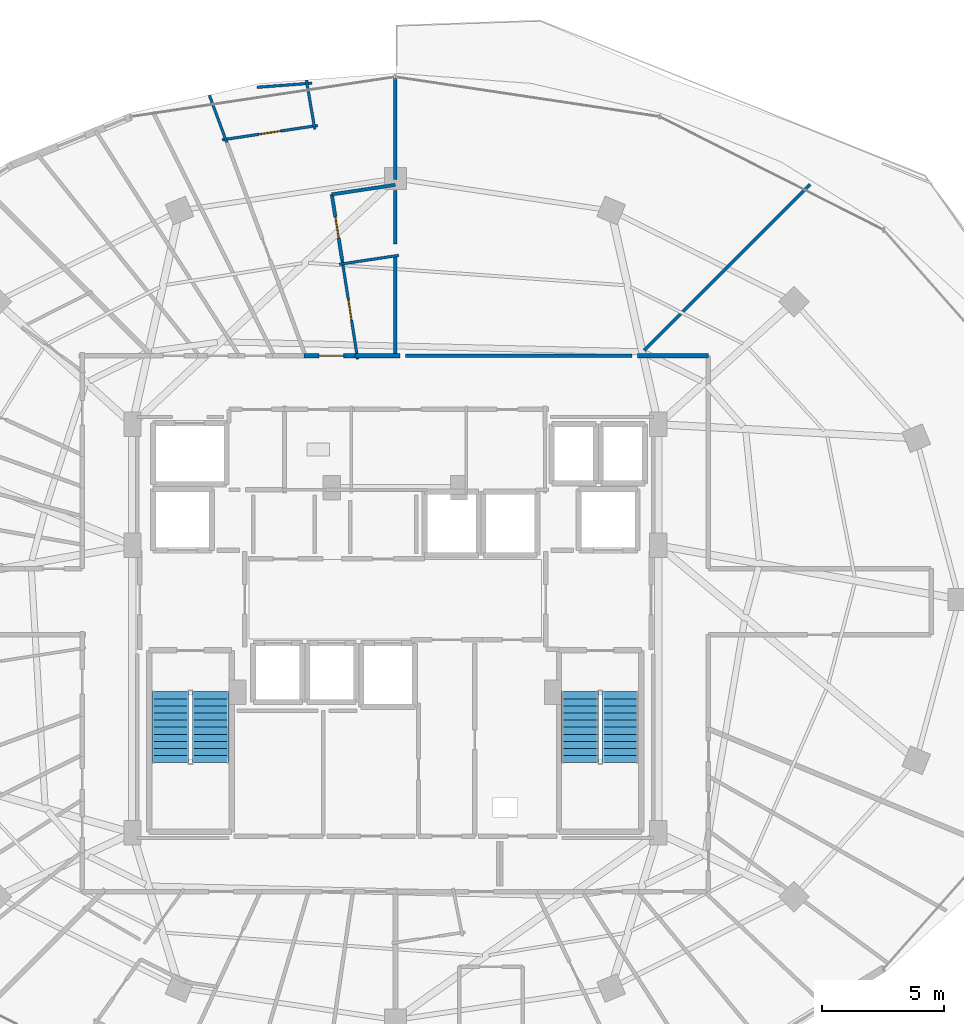
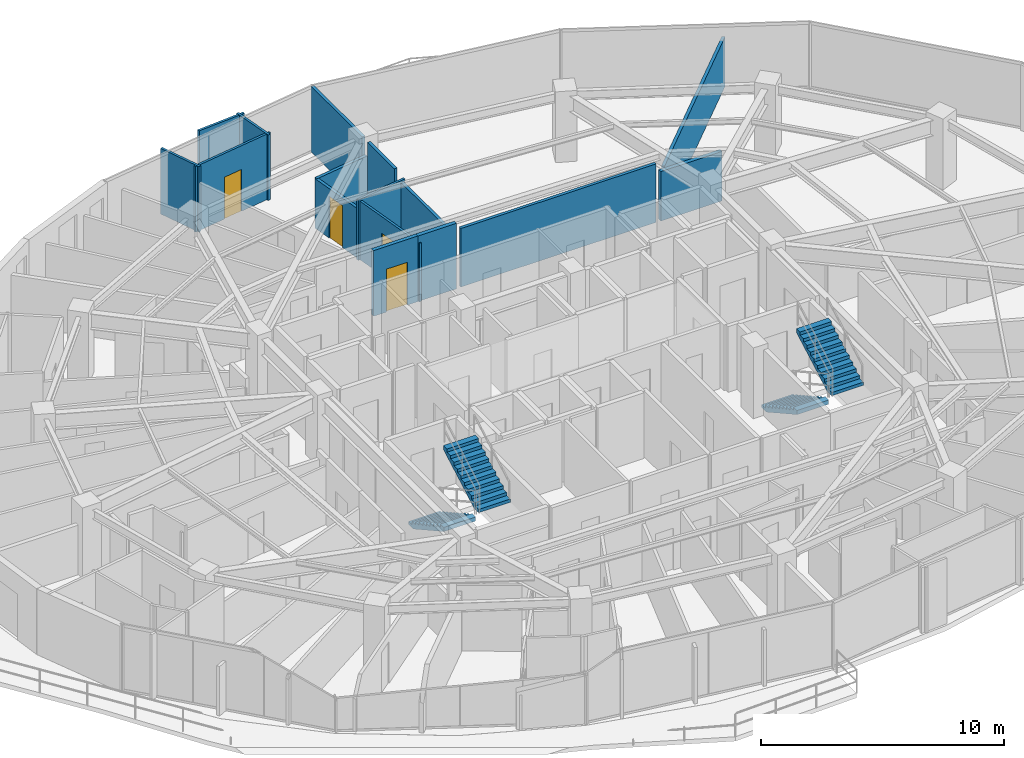
# One storey, part 30 of 33: 16 walls, 4 doors, 4 stair flights, 4 openings, 2 elements without a shape of their own.
"""IFC4 building model written with IfcOpenShell, lengths in metres."""

from ifc_helpers import new_model, si_unit, direction, frame, frame_2d, origin, place, context, subcontext, project, spatial, polyline, rectangle, outline, extrude, material, layer, layer_set, type_object, element, fill, aggregate, save


model = new_model("IFC4")

# Units and contexts
model_context = context("Model", 3, precision=1e-05, world=origin(), true_north=direction((0.0, 1.0)))
body_context = subcontext(model_context, "Body", "Model", "MODEL_VIEW")
ifc_project = project(units=[si_unit("LENGTHUNIT", "METRE"), si_unit("AREAUNIT", "SQUARE_METRE"), si_unit("VOLUMEUNIT", "CUBIC_METRE"), si_unit("PLANEANGLEUNIT", "RADIAN"), si_unit("MASSUNIT", "GRAM", prefix="KILO")], contexts=[model_context])

# Site, building, storey
site_placement = place(None, origin())
site = spatial("IfcSite", under=ifc_project, at=site_placement, CompositionType="ELEMENT")
building_placement = place(site_placement, origin())
building = spatial("IfcBuilding", under=site, at=building_placement, Name="Vorneva Point Tower", CompositionType="ELEMENT")
storey_placement = place(building_placement, frame((0.0, 0.0, 200.10009765625)))
storey = spatial("IfcBuildingStorey", under=building, at=storey_placement, Name="L54", CompositionType="ELEMENT", Elevation=200.10009765625)

# Wall, opening, door
ifc_material_1 = material(Name="Fire-rated acoustic gypsum stud partition", Category="gypsum")
ifc_layer_1 = layer(ifc_material_1, 0.110107421875)
ifc_layer_set_1 = layer_set([ifc_layer_1], Name="Fire-rated acoustic gypsum stud partition")
wall_type_1 = type_object("IfcWallType", Name="WL-PART-110", PredefinedType="PARTITIONING", material=ifc_layer_set_1)
wall_1_placement = place(storey_placement, frame((36.461669921875, 35.811767578125, 0.0), z_axis=(0.0, 0.0, 1.0), x_axis=(-0.154883213323, 0.987932786292, 0.0)))
wall_1 = element("IfcWall", 1, at=wall_1_placement, inside=storey, type_object=wall_type_1, Name="L54 Interior Partition 074", PredefinedType="PARTITIONING", context=body_context, shape_type="SweptSolid", body=[
    extrude(rectangle(XDim=4.0888671875, YDim=0.110107421875, at=frame_2d((2.04443359375, 0.0))), origin(), (0.0, 0.0, 1.0), 2.935791015625),
])
opening_1_placement = place(wall_1_placement, frame((1.619384765625, 0.0, 0.0)))
opening_1 = element("IfcOpeningElement", 2, at=opening_1_placement, cuts=wall_1, Name="Opening ID-02", PredefinedType="OPENING", context=body_context, shape_type="SweptSolid", body=[
    extrude(rectangle(XDim=0.85009765625, YDim=2.10009765625, at=frame_2d((0.425048828125, 1.050048828125))), frame((0.0, 0.06982421875, 0.0), z_axis=(0.0, -1.0, 0.0), x_axis=(1.0, 0.0, 0.0)), (0.0, 0.0, 1.0), 0.139892578125),
])
ifc_material_2 = material(Name="Engineered oak fire-rated door leaf", Category="wood")
door_type_1 = type_object("IfcDoorType", Name="DR-BATH-850", OperationType="NOTDEFINED", PredefinedType="DOOR", material=ifc_material_2)
door_1_placement = place(opening_1_placement, origin())
door_1 = element("IfcDoor", 3, at=door_1_placement, inside=storey, type_object=door_type_1, Name="L54 Door Living and Dining Room L54-01 / Bathroom L54-01", OperationType="SINGLE_SWING_RIGHT", OverallHeight=2.10009765625, OverallWidth=0.85009765625, PredefinedType="DOOR", context=body_context, shape_type="SweptSolid", body=[
    extrude(rectangle(XDim=0.85009765625, YDim=2.10009765625, at=frame_2d((0.425048828125, 1.050048828125))), frame((0.0, 0.02490234375, 0.0), z_axis=(0.0, -1.0, 0.0), x_axis=(1.0, 0.0, 0.0)), (0.0, 0.0, 1.0), 0.050048828125),
])
fill(opening_1, door_1)

# Walls
wall_2_placement = place(storey_placement, frame((34.588623046875, 47.095458984375, 0.0), z_axis=(0.0, 0.0, 1.0), x_axis=(-0.997205784552, -0.074703569226, 0.0)))
element("IfcWall", 4, at=wall_2_placement, inside=storey, type_object=wall_type_1, Name="L54 Interior Partition 075", PredefinedType="PARTITIONING", context=body_context, shape_type="SweptSolid", body=[
    extrude(rectangle(XDim=2.24853515625, YDim=0.110107421875, at=frame_2d((1.124267578125, 0.0))), origin(), (0.0, 0.0, 1.0), 3.289794921875),
])
wall_3_placement = place(storey_placement, frame((34.365478515625, 47.218017578125, 0.0), z_axis=(0.0, 0.0, 1.0), x_axis=(0.168804313657, -0.985649584635, 0.0)))
element("IfcWall", 5, at=wall_3_placement, inside=storey, type_object=wall_type_1, Name="L54 Interior Partition 076", PredefinedType="PARTITIONING", context=body_context, shape_type="SweptSolid", body=[
    extrude(rectangle(XDim=2.039306640625, YDim=0.110107421875, at=frame_2d((1.01953125, 0.0))), origin(), (0.0, 0.0, 1.0), 3.289794921875),
])

# Wall, opening, door
wall_4_placement = place(storey_placement, frame((34.824462890625, 45.36669921875, 0.0), z_axis=(0.0, 0.0, 1.0), x_axis=(-0.988877230123, -0.148734070555, 0.0)))
wall_4 = element("IfcWall", 6, at=wall_4_placement, inside=storey, type_object=wall_type_1, Name="L54 Interior Partition 077", PredefinedType="PARTITIONING", context=body_context, shape_type="SweptSolid", body=[
    extrude(rectangle(XDim=3.94287109375, YDim=0.110107421875, at=frame_2d((1.971435546875, 0.0))), origin(), (0.0, 0.0, 1.0), 3.289794921875),
])
opening_2_placement = place(wall_4_placement, frame((1.521240234375, 0.0, 0.0)))
opening_2 = element("IfcOpeningElement", 7, at=opening_2_placement, cuts=wall_4, Name="Opening ID-01", PredefinedType="OPENING", context=body_context, shape_type="SweptSolid", body=[
    extrude(rectangle(XDim=0.89990234375, YDim=2.10009765625, at=frame_2d((0.449951171875, 1.050048828125))), frame((0.0, 0.06982421875, 0.0), z_axis=(0.0, -1.0, 0.0), x_axis=(1.0, 0.0, 0.0)), (0.0, 0.0, 1.0), 0.139892578125),
])
door_type_2 = type_object("IfcDoorType", Name="DR-ROOM-900", OperationType="NOTDEFINED", PredefinedType="DOOR", material=ifc_material_2)
door_2_placement = place(opening_2_placement, origin())
door_2 = element("IfcDoor", 8, at=door_2_placement, inside=storey, type_object=door_type_2, Name="L54 Door Living and Dining Room L54-01 / Kitchen L54-01", OperationType="SINGLE_SWING_LEFT", OverallHeight=2.10009765625, OverallWidth=0.89990234375, PredefinedType="DOOR", context=body_context, shape_type="SweptSolid", body=[
    extrude(rectangle(XDim=0.89990234375, YDim=2.10009765625, at=frame_2d((0.449951171875, 1.050048828125))), frame((0.0, 0.02490234375, 0.0), z_axis=(0.0, -1.0, 0.0), x_axis=(1.0, 0.0, 0.0)), (0.0, 0.0, 1.0), 0.050048828125),
])
fill(opening_2, door_2)

# Walls
wall_5_placement = place(storey_placement, frame((31.112548828125, 44.669677734375, 0.0), z_axis=(0.0, 0.0, 1.0), x_axis=(-0.346337161188, 0.938110105894, 0.0)))
element("IfcWall", 9, at=wall_5_placement, inside=storey, type_object=wall_type_1, Name="L54 Interior Partition 078", PredefinedType="PARTITIONING", context=body_context, shape_type="SweptSolid", body=[
    extrude(rectangle(XDim=2.05908203125, YDim=0.110107421875, at=frame_2d((1.029541015625, 0.0))), origin(), (0.0, 0.0, 1.0), 3.289794921875),
])
wall_6_placement = place(storey_placement, frame((38.138427734375, 40.056884765625, 0.0), z_axis=(0.0, 0.0, 1.0), x_axis=(-0.988892526147, -0.148632337431, 0.0)))
element("IfcWall", 10, at=wall_6_placement, inside=storey, type_object=wall_type_1, Name="L54 Interior Partition 082", PredefinedType="PARTITIONING", context=body_context, shape_type="SweptSolid", body=[
    extrude(rectangle(XDim=2.4541015625, YDim=0.110107421875, at=frame_2d((1.22705078125, 0.0))), origin(), (0.0, 0.0, 1.0), 3.02197265625),
])
ifc_layer_2 = layer(ifc_material_1, 0.139892578125)
ifc_layer_set_2 = layer_set([ifc_layer_2], Name="Fire-rated acoustic gypsum stud partition")
wall_type_2 = type_object("IfcWallType", Name="WL-PART-140", PredefinedType="PARTITIONING", material=ifc_layer_set_2)
wall_7_placement = place(storey_placement, frame((35.405029296875, 42.550048828125, 0.0), z_axis=(0.0, 0.0, 1.0), x_axis=(0.988900154693, 0.148581573718, 0.0)))
element("IfcWall", 11, at=wall_7_placement, inside=storey, type_object=wall_type_2, Name="L54 Interior Partition 079", PredefinedType="PARTITIONING", context=body_context, shape_type="SweptSolid", body=[
    extrude(rectangle(XDim=2.6240234375, YDim=0.139892578125, at=frame_2d((1.31201171875, 0.0))), origin(), (0.0, 0.0, 1.0), 2.48193359375),
])

# Wall, opening, door
wall_8_placement = place(storey_placement, frame((35.828369140625, 39.851318359375, 0.0), z_axis=(0.0, 0.0, 1.0), x_axis=(-0.154971189464, 0.987918989814, 0.0)))
wall_8 = element("IfcWall", 12, at=wall_8_placement, inside=storey, type_object=wall_type_2, Name="L54 Interior Partition 080", PredefinedType="PARTITIONING", context=body_context, shape_type="SweptSolid", body=[
    extrude(rectangle(XDim=2.731689453125, YDim=0.139892578125, at=frame_2d((1.36572265625, 0.0))), origin(), (0.0, 0.0, 1.0), 2.48193359375),
])
opening_3_placement = place(wall_8_placement, frame((0.915771484375, 0.0, 0.0)))
opening_3 = element("IfcOpeningElement", 13, at=opening_3_placement, cuts=wall_8, Name="Opening ID-01", PredefinedType="OPENING", context=body_context, shape_type="SweptSolid", body=[
    extrude(rectangle(XDim=0.89990234375, YDim=2.10009765625, at=frame_2d((0.449951171875, 1.050048828125))), frame((0.0, 0.0849609375, 0.0), z_axis=(0.0, -1.0, 0.0), x_axis=(1.0, 0.0, 0.0)), (0.0, 0.0, 1.0), 0.169677734375),
])
door_3_placement = place(opening_3_placement, origin())
door_3 = element("IfcDoor", 14, at=door_3_placement, inside=storey, type_object=door_type_2, Name="L54 Door Living and Dining Room L54-01 / Study Room L54-01", OperationType="SINGLE_SWING_RIGHT", OverallHeight=2.10009765625, OverallWidth=0.89990234375, PredefinedType="DOOR", context=body_context, shape_type="SweptSolid", body=[
    extrude(rectangle(XDim=0.89990234375, YDim=2.10009765625, at=frame_2d((0.449951171875, 1.050048828125))), frame((0.0, 0.02490234375, 0.0), z_axis=(0.0, -1.0, 0.0), x_axis=(1.0, 0.0, 0.0)), (0.0, 0.0, 1.0), 0.050048828125),
])
fill(opening_3, door_3)

# Walls
wall_9_placement = place(storey_placement, frame((47.669921875, 35.949951171875, 0.0), z_axis=(0.0, 0.0, 1.0), x_axis=(-1.0, 0.0, 0.0)))
element("IfcWall", 15, at=wall_9_placement, inside=storey, type_object=wall_type_2, Name="L54 Interior Closure Partition 164", PredefinedType="PARTITIONING", context=body_context, shape_type="SweptSolid", body=[
    extrude(rectangle(XDim=9.25, YDim=0.139892578125, at=frame_2d((4.625, 0.0))), origin(), (0.0, 0.0, 1.0), 2.935791015625),
])
wall_10_placement = place(storey_placement, frame((38.0, 43.159912109375, 0.0), z_axis=(0.0, 0.0, 1.0), x_axis=(0.0, 1.0, 0.0)))
element("IfcWall", 16, at=wall_10_placement, inside=storey, type_object=wall_type_2, Name="L54 Interior Closure Partition 176", PredefinedType="PARTITIONING", context=body_context, shape_type="SweptSolid", body=[
    extrude(rectangle(XDim=4.190185546875, YDim=0.139892578125, at=frame_2d((2.09521484375, 0.0))), origin(), (0.0, 0.0, 1.0), 3.289794921875),
])
wall_11_placement = place(storey_placement, frame((38.0, 35.919921875, 0.0), z_axis=(0.0, 0.0, 1.0), x_axis=(0.0, 1.0, 0.0)))
element("IfcWall", 17, at=wall_11_placement, inside=storey, type_object=wall_type_2, Name="L54 Interior Closure Partition 177", PredefinedType="PARTITIONING", context=body_context, shape_type="SweptSolid", body=[
    extrude(rectangle(XDim=4.14501953125, YDim=0.139892578125, at=frame_2d((2.072509765625, 0.0))), origin(), (0.0, 0.0, 1.0), 2.935791015625),
])
wall_12_placement = place(storey_placement, frame((38.0, 40.514892578125, 0.0), z_axis=(0.0, 0.0, 1.0), x_axis=(0.0, 1.0, 0.0)))
element("IfcWall", 18, at=wall_12_placement, inside=storey, type_object=wall_type_2, Name="L54 Interior Closure Partition 178", PredefinedType="PARTITIONING", context=body_context, shape_type="SweptSolid", body=[
    extrude(rectangle(XDim=2.195068359375, YDim=0.139892578125, at=frame_2d((1.09765625, 0.0))), origin(), (0.0, 0.0, 1.0), 3.289794921875),
])
wall_13_placement = place(storey_placement, frame((54.958984375, 42.958984375, 0.0), z_axis=(0.0, 0.0, 1.0), x_axis=(-0.707106781187, -0.707106781187, 0.0)))
element("IfcWall", 19, at=wall_13_placement, inside=storey, type_object=wall_type_2, Name="L54 Interior Closure Partition 179", PredefinedType="PARTITIONING", context=body_context, shape_type="SweptSolid", body=[
    extrude(rectangle(XDim=9.60107421875, YDim=0.139892578125, at=frame_2d((4.800537109375, 0.0))), origin(), (0.0, 0.0, 1.0), 2.48193359375),
])

# Wall, opening, door
ifc_material_3 = material(Name="Autoclaved aerated concrete blockwork", Category="masonry")
ifc_layer_3 = layer(ifc_material_3, 0.179931640625)
ifc_layer_set_3 = layer_set([ifc_layer_3], Name="Autoclaved aerated concrete blockwork")
wall_type_3 = type_object("IfcWallType", Name="WL-PART-180", PredefinedType="PARTITIONING", material=ifc_layer_set_3)
wall_14_placement = place(storey_placement, frame((36.5, 35.949951171875, 0.0), z_axis=(0.0, 0.0, 1.0), x_axis=(-1.0, 0.0, 0.0)))
wall_14 = element("IfcWall", 20, at=wall_14_placement, inside=storey, type_object=wall_type_3, Name="L54 Interior Partition 029", PredefinedType="PARTITIONING", context=body_context, shape_type="SweptSolid", body=[
    extrude(rectangle(XDim=2.235107421875, YDim=0.179931640625, at=frame_2d((1.11767578125, 0.0))), origin(), (0.0, 0.0, 1.0), 3.289794921875),
])
opening_4_placement = place(wall_14_placement, frame((0.617431640625, 0.0, 0.0)))
opening_4 = element("IfcOpeningElement", 21, at=opening_4_placement, cuts=wall_14, Name="Opening UD-01", PredefinedType="OPENING", context=body_context, shape_type="SweptSolid", body=[
    extrude(rectangle(XDim=1.0, YDim=2.14990234375, at=frame_2d((0.5, 1.074951171875))), frame((0.0, 0.10498046875, 0.0), z_axis=(0.0, -1.0, 0.0), x_axis=(1.0, 0.0, 0.0)), (0.0, 0.0, 1.0), 0.209716796875),
])
door_type_3 = type_object("IfcDoorType", Name="DR-UNIT-1000", OperationType="NOTDEFINED", PredefinedType="DOOR", material=ifc_material_2)
door_4_placement = place(opening_4_placement, origin())
door_4 = element("IfcDoor", 22, at=door_4_placement, inside=storey, type_object=door_type_3, Name="L54 Door L54 Circulation Corridor / Living and Dining Room L54-01", OperationType="SINGLE_SWING_RIGHT", OverallHeight=2.14990234375, OverallWidth=1.0, PredefinedType="DOOR", context=body_context, shape_type="SweptSolid", body=[
    extrude(rectangle(XDim=1.0, YDim=2.14990234375, at=frame_2d((0.5, 1.074951171875))), frame((0.0, 0.02490234375, 0.0), z_axis=(0.0, -1.0, 0.0), x_axis=(1.0, 0.0, 0.0)), (0.0, 0.0, 1.0), 0.050048828125),
])
fill(opening_4, door_4)

# Walls
wall_15_placement = place(storey_placement, frame((38.199951171875, 35.949951171875, 0.0), z_axis=(0.0, 0.0, 1.0), x_axis=(-1.0, 0.0, 0.0)))
element("IfcWall", 23, at=wall_15_placement, inside=storey, type_object=wall_type_3, Name="L54 Interior Partition 030", PredefinedType="PARTITIONING", context=body_context, shape_type="SweptSolid", body=[
    extrude(rectangle(XDim=1.83984375, YDim=0.179931640625, at=frame_2d((0.919921875, 0.0))), origin(), (0.0, 0.0, 1.0), 3.289794921875),
])
wall_16_placement = place(storey_placement, frame((50.800048828125, 35.949951171875, 0.0), z_axis=(0.0, 0.0, 1.0), x_axis=(-1.0, 0.0, 0.0)))
element("IfcWall", 24, at=wall_16_placement, inside=storey, type_object=wall_type_3, Name="L54 Interior Partition 073", PredefinedType="PARTITIONING", context=body_context, shape_type="SweptSolid", body=[
    extrude(rectangle(XDim=2.91015625, YDim=0.179931640625, at=frame_2d((1.455078125, 0.0))), origin(), (0.0, 0.0, 1.0), 2.48193359375),
])

# Stair, stair flights
ifc_material_4 = material(Name="Concrete B50 (C40/50)", Category="concrete")
stair_type = type_object("IfcStairType", Name="ST-DOG-1500", PredefinedType="HALF_TURN_STAIR", material=ifc_material_4)
stair_1_placement = place(storey_placement, origin())
stair_1 = element("IfcStair", 25, at=stair_1_placement, inside=storey, type_object=stair_type, Name="L54 ST1", PredefinedType="HALF_TURN_STAIR")
stair_flight_type = type_object("IfcStairFlightType", Name="STF-1500", PredefinedType="STRAIGHT", material=ifc_material_4)
stair_flight_1_placement = place(storey_placement, frame((28.800048828125, 22.219970703125, 0.0), z_axis=(0.0, 0.0, 1.0), x_axis=(0.0, -1.0, 0.0)))
stair_flight_1 = element("IfcStairFlight", 26, at=stair_flight_1_placement, type_object=stair_flight_type, Name="ST1 flight 1", NumberOfRisers=11, NumberOfTreads=10, PredefinedType="STRAIGHT", RiserHeight=0.161363636, TreadLength=0.29, context=body_context, shape_type="SweptSolid", body=[
    extrude(outline(polyline([(0.0, 0.0), (0.0, 0.161376953125), (0.2900390625, 0.161376953125), (0.2900390625, 0.32275390625), (0.580078125, 0.32275390625), (0.580078125, 0.484130859375), (0.8701171875, 0.484130859375), (0.8701171875, 0.6455078125), (1.159912109375, 0.6455078125), (1.159912109375, 0.806884765625), (1.449951171875, 0.806884765625), (1.449951171875, 0.96826171875), (1.739990234375, 0.96826171875), (1.739990234375, 1.129638671875), (2.030029296875, 1.129638671875), (2.030029296875, 1.291015625), (2.320068359375, 1.291015625), (2.320068359375, 1.452392578125), (2.610107421875, 1.452392578125), (2.610107421875, 1.613525390625), (2.89990234375, 1.613525390625), (2.89990234375, 1.77490234375), (2.89990234375, 1.40771484375), (0.3701171875, 0.0), (0.0, 0.0)])), frame((0.0, 0.75, 0.0), z_axis=(0.0, -1.0, 0.0), x_axis=(1.0, 0.0, 0.0)), (0.0, 0.0, 1.0), 1.5),
])
stair_flight_2_placement = place(storey_placement, frame((30.449951171875, 19.320068359375, 1.77490234375), z_axis=(0.0, 0.0, 1.0), x_axis=(0.0, 1.0, 0.0)))
stair_flight_2 = element("IfcStairFlight", 27, at=stair_flight_2_placement, type_object=stair_flight_type, Name="ST1 flight 2", NumberOfRisers=11, NumberOfTreads=10, PredefinedType="STRAIGHT", RiserHeight=0.161363636, TreadLength=0.29, context=body_context, shape_type="SweptSolid", body=[
    extrude(outline(polyline([(0.0, 0.0), (0.0, 0.161376953125), (0.2900390625, 0.161376953125), (0.2900390625, 0.32275390625), (0.580078125, 0.32275390625), (0.580078125, 0.484130859375), (0.8701171875, 0.484130859375), (0.8701171875, 0.6455078125), (1.159912109375, 0.6455078125), (1.159912109375, 0.806884765625), (1.449951171875, 0.806884765625), (1.449951171875, 0.96826171875), (1.739990234375, 0.96826171875), (1.739990234375, 1.129638671875), (2.030029296875, 1.129638671875), (2.030029296875, 1.291015625), (2.320068359375, 1.291015625), (2.320068359375, 1.452392578125), (2.610107421875, 1.452392578125), (2.610107421875, 1.613525390625), (2.89990234375, 1.613525390625), (2.89990234375, 1.77490234375), (2.89990234375, 1.40771484375), (0.3701171875, 0.0), (0.0, 0.0)])), frame((0.0, 0.75, 0.0), z_axis=(0.0, -1.0, 0.0), x_axis=(1.0, 0.0, 0.0)), (0.0, 0.0, 1.0), 1.5),
])
aggregate(stair_1, [stair_flight_1, stair_flight_2])

stair_2_placement = place(storey_placement, origin())
stair_2 = element("IfcStair", 28, at=stair_2_placement, inside=storey, type_object=stair_type, Name="L54 ST2", PredefinedType="HALF_TURN_STAIR")
stair_flight_3_placement = place(storey_placement, frame((45.550048828125, 22.219970703125, 0.0), z_axis=(0.0, 0.0, 1.0), x_axis=(0.0, -1.0, 0.0)))
stair_flight_3 = element("IfcStairFlight", 29, at=stair_flight_3_placement, type_object=stair_flight_type, Name="ST2 flight 1", NumberOfRisers=11, NumberOfTreads=10, PredefinedType="STRAIGHT", RiserHeight=0.161363636, TreadLength=0.29, context=body_context, shape_type="SweptSolid", body=[
    extrude(outline(polyline([(0.0, 0.0), (0.0, 0.161376953125), (0.2900390625, 0.161376953125), (0.2900390625, 0.32275390625), (0.580078125, 0.32275390625), (0.580078125, 0.484130859375), (0.8701171875, 0.484130859375), (0.8701171875, 0.6455078125), (1.159912109375, 0.6455078125), (1.159912109375, 0.806884765625), (1.449951171875, 0.806884765625), (1.449951171875, 0.96826171875), (1.739990234375, 0.96826171875), (1.739990234375, 1.129638671875), (2.030029296875, 1.129638671875), (2.030029296875, 1.291015625), (2.320068359375, 1.291015625), (2.320068359375, 1.452392578125), (2.610107421875, 1.452392578125), (2.610107421875, 1.613525390625), (2.89990234375, 1.613525390625), (2.89990234375, 1.77490234375), (2.89990234375, 1.40771484375), (0.3701171875, 0.0), (0.0, 0.0)])), frame((0.0, 0.75, 0.0), z_axis=(0.0, -1.0, 0.0), x_axis=(1.0, 0.0, 0.0)), (0.0, 0.0, 1.0), 1.5),
])
stair_flight_4_placement = place(storey_placement, frame((47.199951171875, 19.320068359375, 1.77490234375), z_axis=(0.0, 0.0, 1.0), x_axis=(0.0, 1.0, 0.0)))
stair_flight_4 = element("IfcStairFlight", 30, at=stair_flight_4_placement, type_object=stair_flight_type, Name="ST2 flight 2", NumberOfRisers=11, NumberOfTreads=10, PredefinedType="STRAIGHT", RiserHeight=0.161363636, TreadLength=0.29, context=body_context, shape_type="SweptSolid", body=[
    extrude(outline(polyline([(0.0, 0.0), (0.0, 0.161376953125), (0.2900390625, 0.161376953125), (0.2900390625, 0.32275390625), (0.580078125, 0.32275390625), (0.580078125, 0.484130859375), (0.8701171875, 0.484130859375), (0.8701171875, 0.6455078125), (1.159912109375, 0.6455078125), (1.159912109375, 0.806884765625), (1.449951171875, 0.806884765625), (1.449951171875, 0.96826171875), (1.739990234375, 0.96826171875), (1.739990234375, 1.129638671875), (2.030029296875, 1.129638671875), (2.030029296875, 1.291015625), (2.320068359375, 1.291015625), (2.320068359375, 1.452392578125), (2.610107421875, 1.452392578125), (2.610107421875, 1.613525390625), (2.89990234375, 1.613525390625), (2.89990234375, 1.77490234375), (2.89990234375, 1.40771484375), (0.3701171875, 0.0), (0.0, 0.0)])), frame((0.0, 0.75, 0.0), z_axis=(0.0, -1.0, 0.0), x_axis=(1.0, 0.0, 0.0)), (0.0, 0.0, 1.0), 1.5),
])
aggregate(stair_2, [stair_flight_3, stair_flight_4])

save(model, "model.ifc")
